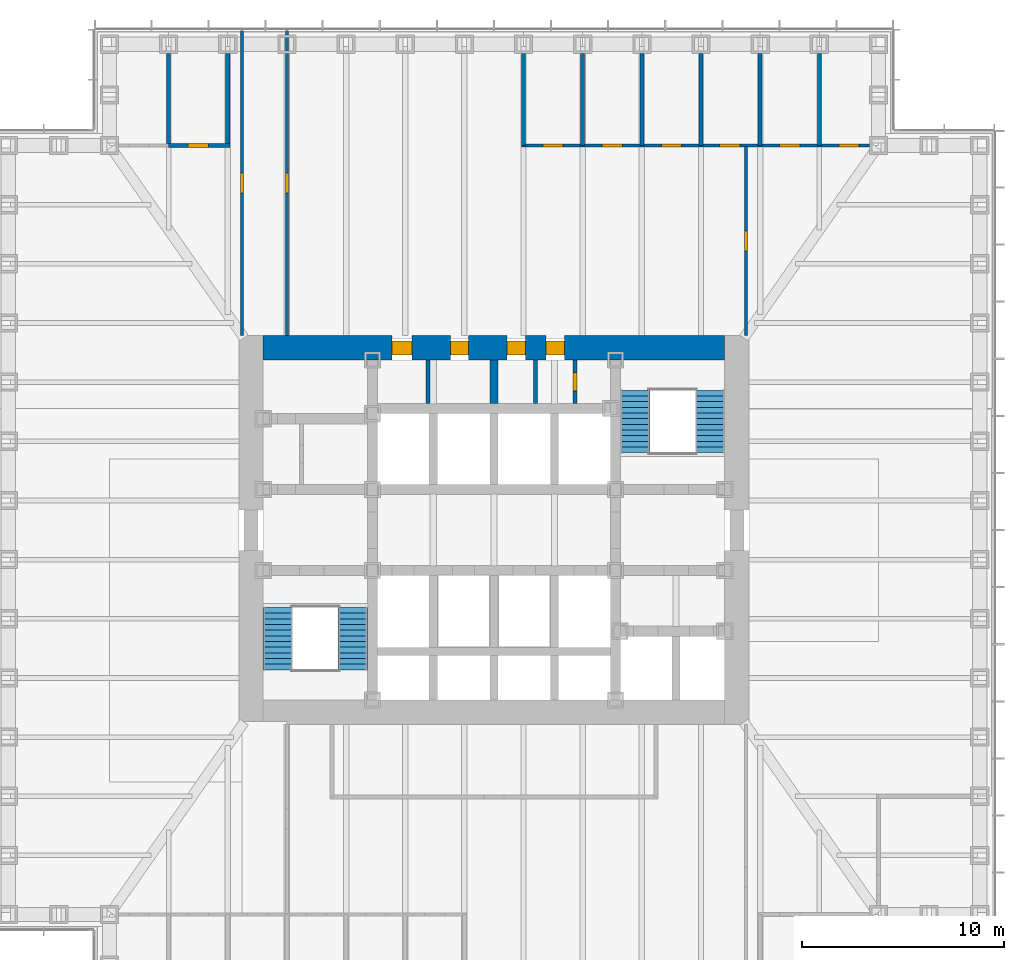
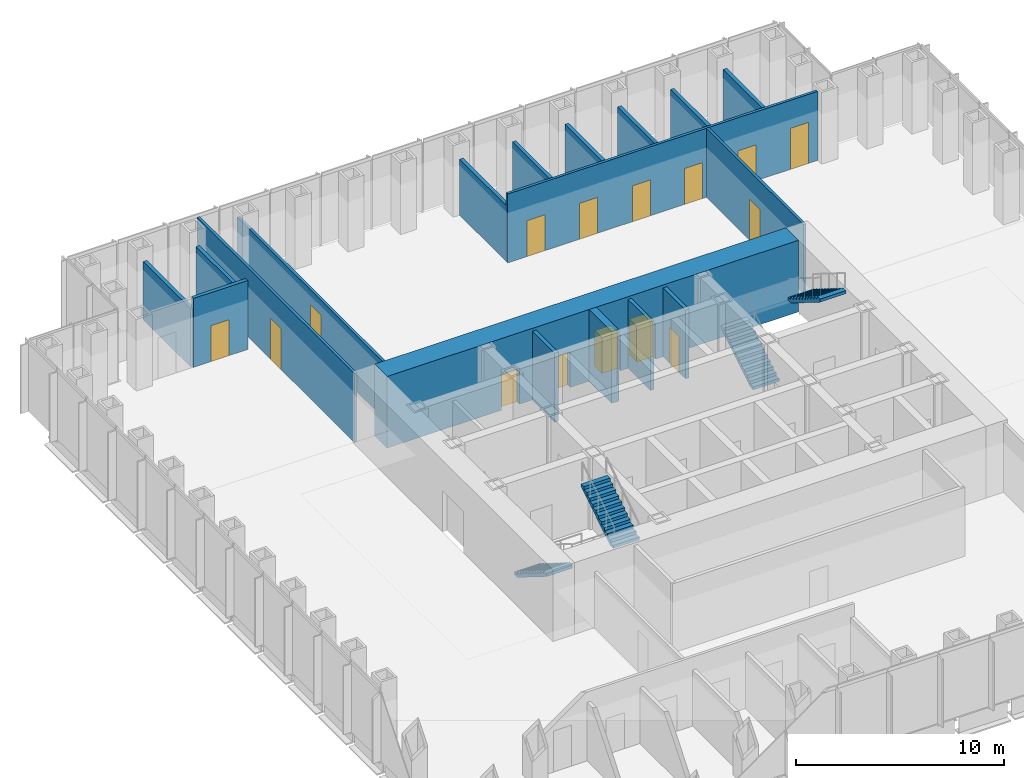
# One storey, part 10 of 16: 18 walls, 15 doors, 4 stair flights, 15 openings, 2 elements without a shape of their own.
"""IFC4 building model written with IfcOpenShell, lengths in metres."""

from ifc_helpers import new_model, si_unit, direction, frame, frame_2d, origin, place, context, subcontext, project, spatial, polyline, rectangle, outline, extrude, material, layer, layer_set, type_object, element, fill, aggregate, save


model = new_model("IFC4")

# Units and contexts
model_context = context("Model", 3, precision=1e-05, world=origin(), true_north=direction((0.0, 1.0)))
body_context = subcontext(model_context, "Body", "Model", "MODEL_VIEW")
ifc_project = project(units=[si_unit("LENGTHUNIT", "METRE"), si_unit("AREAUNIT", "SQUARE_METRE"), si_unit("VOLUMEUNIT", "CUBIC_METRE"), si_unit("PLANEANGLEUNIT", "RADIAN"), si_unit("MASSUNIT", "GRAM", prefix="KILO")], contexts=[model_context])

# Site, building, storey
site_placement = place(None, origin())
site = spatial("IfcSite", under=ifc_project, at=site_placement, CompositionType="ELEMENT")
building_placement = place(site_placement, origin())
building = spatial("IfcBuilding", under=site, at=building_placement, Name="Daluyong Arena Tower", CompositionType="ELEMENT")
storey_placement = place(building_placement, frame((0.0, 0.0, 93.699951171875)))
storey = spatial("IfcBuildingStorey", under=building, at=storey_placement, Name="L20", CompositionType="ELEMENT", Elevation=93.699951171875)

# Wall, openings, doors
ifc_material_1 = material(Name="Concrete fc' 60 MPa", Category="concrete")
ifc_layer_1 = layer(ifc_material_1, 1.199951171875)
ifc_layer_set_1 = layer_set([ifc_layer_1], Name="Concrete fc' 60 MPa")
wall_type_1 = type_object("IfcWallType", Name="Core wall 1200", PredefinedType="SHEAR", material=ifc_layer_set_1)
wall_1_placement = place(storey_placement, frame((44.60009765625, 89.0, 0.0), z_axis=(0.0, 0.0, 1.0), x_axis=(1.0, 0.0, 0.0)))
wall_1 = element("IfcWall", 1, at=wall_1_placement, inside=storey, type_object=wall_type_1, Name="core wall at L20", PredefinedType="SHEAR", context=body_context, shape_type="SweptSolid", body=[
    extrude(rectangle(XDim=22.7998046875, YDim=1.199951171875, at=frame_2d((11.39990234375, 0.0))), origin(), (0.0, 0.0, 1.0), 4.199951171875),
])
opening_1_placement = place(wall_1_placement, frame((6.35009765625, 0.0, 0.0)))
opening_1 = element("IfcOpeningElement", 2, at=opening_1_placement, cuts=wall_1, Name="Opening 20004", PredefinedType="OPENING", context=body_context, shape_type="SweptSolid", body=[
    extrude(rectangle(XDim=1.0, YDim=2.10009765625, at=frame_2d((0.5, 1.050048828125))), frame((0.0, 0.60986328125, 0.0), z_axis=(0.0, -1.0, 0.0), x_axis=(1.0, 0.0, 0.0)), (0.0, 0.0, 1.0), 1.219970703125),
])
opening_2_placement = place(wall_1_placement, frame((9.25, 0.0, 0.0)))
opening_2 = element("IfcOpeningElement", 3, at=opening_2_placement, cuts=wall_1, Name="Opening 20005", PredefinedType="OPENING", context=body_context, shape_type="SweptSolid", body=[
    extrude(rectangle(XDim=0.89990234375, YDim=2.10009765625, at=frame_2d((0.449951171875, 1.050048828125))), frame((0.0, 0.60986328125, 0.0), z_axis=(0.0, -1.0, 0.0), x_axis=(1.0, 0.0, 0.0)), (0.0, 0.0, 1.0), 1.219970703125),
])
opening_3_placement = place(wall_1_placement, frame((12.050048828125, 0.0, 0.0)))
opening_3 = element("IfcOpeningElement", 4, at=opening_3_placement, cuts=wall_1, Name="Opening 20006", PredefinedType="OPENING", context=body_context, shape_type="SweptSolid", body=[
    extrude(rectangle(XDim=0.89990234375, YDim=2.10009765625, at=frame_2d((0.449951171875, 1.050048828125))), frame((0.0, 0.60986328125, 0.0), z_axis=(0.0, -1.0, 0.0), x_axis=(1.0, 0.0, 0.0)), (0.0, 0.0, 1.0), 1.219970703125),
])
opening_4_placement = place(wall_1_placement, frame((13.97509765625, 0.0, 0.0)))
opening_4 = element("IfcOpeningElement", 5, at=opening_4_placement, cuts=wall_1, Name="Opening 20007", PredefinedType="OPENING", context=body_context, shape_type="SweptSolid", body=[
    extrude(rectangle(XDim=0.89990234375, YDim=2.10009765625, at=frame_2d((0.449951171875, 1.050048828125))), frame((0.0, 0.60986328125, 0.0), z_axis=(0.0, -1.0, 0.0), x_axis=(1.0, 0.0, 0.0)), (0.0, 0.0, 1.0), 1.219970703125),
])
ifc_material_2 = material(Name="Timber door", Category="wood")
door_type_1 = type_object("IfcDoorType", Name="Accessible toilet door 1000", OperationType="SINGLE_SWING_LEFT", PredefinedType="DOOR", material=ifc_material_2)
door_1_placement = place(opening_1_placement, origin())
door_1 = element("IfcDoor", 6, at=door_1_placement, inside=storey, type_object=door_type_1, Name="accessible toilet door 20004", OperationType="SINGLE_SWING_LEFT", OverallHeight=2.10009765625, OverallWidth=1.0, PredefinedType="DOOR", context=body_context, shape_type="SweptSolid", body=[
    extrude(rectangle(XDim=1.0, YDim=2.10009765625, at=frame_2d((0.5, 1.050048828125))), frame((0.0, 0.35009765625, 0.0), z_axis=(0.0, -1.0, 0.0), x_axis=(1.0, 0.0, 0.0)), (0.0, 0.0, 1.0), 0.699951171875),
])
fill(opening_1, door_1)
ifc_material_3 = material(Name="Steel door, fire rated", Category="steel")
door_type_2 = type_object("IfcDoorType", Name="Core store door 900", OperationType="SINGLE_SWING_LEFT", PredefinedType="DOOR", material=ifc_material_3)
door_2_placement = place(opening_2_placement, origin())
door_2 = element("IfcDoor", 7, at=door_2_placement, inside=storey, type_object=door_type_2, Name="facilities store door 20005", OperationType="SINGLE_SWING_LEFT", OverallHeight=2.10009765625, OverallWidth=0.89990234375, PredefinedType="DOOR", context=body_context, shape_type="SweptSolid", body=[
    extrude(rectangle(XDim=0.89990234375, YDim=2.10009765625, at=frame_2d((0.449951171875, 1.050048828125))), frame((0.0, 0.35009765625, 0.0), z_axis=(0.0, -1.0, 0.0), x_axis=(1.0, 0.0, 0.0)), (0.0, 0.0, 1.0), 0.699951171875),
])
fill(opening_2, door_2)
door_3_placement = place(opening_4_placement, origin())
door_3 = element("IfcDoor", 8, at=door_3_placement, inside=storey, type_object=door_type_2, Name="stationery store door 20007", OperationType="SINGLE_SWING_LEFT", OverallHeight=2.10009765625, OverallWidth=0.89990234375, PredefinedType="DOOR", context=body_context, shape_type="SweptSolid", body=[
    extrude(rectangle(XDim=0.89990234375, YDim=2.10009765625, at=frame_2d((0.449951171875, 1.050048828125))), frame((0.0, 0.35009765625, 0.0), z_axis=(0.0, -1.0, 0.0), x_axis=(1.0, 0.0, 0.0)), (0.0, 0.0, 1.0), 0.699951171875),
])
fill(opening_4, door_3)
ifc_material_4 = material(Name="Steel door, fire rated", Category="steel")
door_type_3 = type_object("IfcDoorType", Name="Plant room door 900", OperationType="SINGLE_SWING_LEFT", PredefinedType="DOOR", material=ifc_material_4)
door_4_placement = place(opening_3_placement, origin())
door_4 = element("IfcDoor", 9, at=door_4_placement, inside=storey, type_object=door_type_3, Name="comms room door 20006", OperationType="SINGLE_SWING_LEFT", OverallHeight=2.10009765625, OverallWidth=0.89990234375, PredefinedType="DOOR", context=body_context, shape_type="SweptSolid", body=[
    extrude(rectangle(XDim=0.89990234375, YDim=2.10009765625, at=frame_2d((0.449951171875, 1.050048828125))), frame((0.0, 0.35009765625, 0.0), z_axis=(0.0, -1.0, 0.0), x_axis=(1.0, 0.0, 0.0)), (0.0, 0.0, 1.0), 0.699951171875),
])
fill(opening_3, door_4)

# Wall
ifc_material_5 = material(Name="Concrete block partition, fire rated", Category="concrete")
ifc_layer_2 = layer(ifc_material_5, 0.199951171875)
ifc_layer_set_2 = layer_set([ifc_layer_2], Name="Concrete block partition, fire rated")
wall_type_2 = type_object("IfcWallType", Name="Fire-rated partition 200", PredefinedType="PARTITIONING", material=ifc_layer_set_2)
wall_2_placement = place(storey_placement, frame((52.75, 86.25, 0.0), z_axis=(0.0, 0.0, 1.0), x_axis=(0.0, 1.0, 0.0)))
element("IfcWall", 10, at=wall_2_placement, inside=storey, type_object=wall_type_2, Name="core room partition at L20", PredefinedType="PARTITIONING", context=body_context, shape_type="SweptSolid", body=[
    extrude(rectangle(XDim=2.14990234375, YDim=0.199951171875, at=frame_2d((1.074951171875, 0.0))), origin(), (0.0, 0.0, 1.0), 4.0400390625),
])

# Wall, opening, door
wall_3_placement = place(storey_placement, frame((60.0, 86.25, 0.0), z_axis=(0.0, 0.0, 1.0), x_axis=(0.0, 1.0, 0.0)))
wall_3 = element("IfcWall", 11, at=wall_3_placement, inside=storey, type_object=wall_type_2, Name="electrical riser enclosure at L20", PredefinedType="PARTITIONING", context=body_context, shape_type="SweptSolid", body=[
    extrude(rectangle(XDim=2.14990234375, YDim=0.199951171875, at=frame_2d((1.074951171875, 0.0))), origin(), (0.0, 0.0, 1.0), 4.0400390625),
])
opening_5_placement = place(wall_3_placement, frame((0.625, 0.0, 0.0)))
opening_5 = element("IfcOpeningElement", 12, at=opening_5_placement, cuts=wall_3, Name="Opening 20008", PredefinedType="OPENING", context=body_context, shape_type="SweptSolid", body=[
    extrude(rectangle(XDim=0.89990234375, YDim=2.10009765625, at=frame_2d((0.449951171875, 1.050048828125))), frame((0.0, 0.10986328125, 0.0), z_axis=(0.0, -1.0, 0.0), x_axis=(1.0, 0.0, 0.0)), (0.0, 0.0, 1.0), 0.219970703125),
])
ifc_material_6 = material(Name="Steel door, fire rated", Category="steel")
door_type_4 = type_object("IfcDoorType", Name="Riser door 900", OperationType="SINGLE_SWING_LEFT", PredefinedType="DOOR", material=ifc_material_6)
door_5_placement = place(opening_5_placement, origin())
door_5 = element("IfcDoor", 13, at=door_5_placement, inside=storey, type_object=door_type_4, Name="riser door 20008", OperationType="SINGLE_SWING_LEFT", OverallHeight=2.10009765625, OverallWidth=0.89990234375, PredefinedType="DOOR", context=body_context, shape_type="SweptSolid", body=[
    extrude(rectangle(XDim=0.89990234375, YDim=2.10009765625, at=frame_2d((0.449951171875, 1.050048828125))), frame((0.0, 0.099609375, 0.0), z_axis=(0.0, -1.0, 0.0), x_axis=(1.0, 0.0, 0.0)), (0.0, 0.0, 1.0), 0.199462890625),
])
fill(opening_5, door_5)

# Wall
wall_4_placement = place(storey_placement, frame((58.050048828125, 86.25, 0.0), z_axis=(0.0, 0.0, 1.0), x_axis=(0.0, 1.0, 0.0)))
element("IfcWall", 14, at=wall_4_placement, inside=storey, type_object=wall_type_2, Name="core room partition at L20", PredefinedType="PARTITIONING", context=body_context, shape_type="SweptSolid", body=[
    extrude(rectangle(XDim=2.14990234375, YDim=0.199951171875, at=frame_2d((1.074951171875, 0.0))), origin(), (0.0, 0.0, 1.0), 4.0400390625),
])

# Wall, openings, doors
ifc_material_7 = material(Name="Glazed aluminium partition", Category="aluminium")
ifc_layer_3 = layer(ifc_material_7, 0.14990234375)
ifc_layer_set_3 = layer_set([ifc_layer_3], Name="Glazed aluminium partition")
wall_type_3 = type_object("IfcWallType", Name="Glazed partition 150", PredefinedType="PARTITIONING", material=ifc_layer_set_3)
wall_5_placement = place(storey_placement, frame((57.361572265625, 99.0, 0.0), z_axis=(0.0, 0.0, 1.0), x_axis=(1.0, 0.0, 0.0)))
wall_5 = element("IfcWall", 15, at=wall_5_placement, inside=storey, type_object=wall_type_3, Name="glazed partition at L20", PredefinedType="PARTITIONING", context=body_context, shape_type="SweptSolid", body=[
    extrude(rectangle(XDim=17.1884765625, YDim=0.14990234375, at=frame_2d((8.59423828125, 0.0))), origin(), (0.0, 0.0, 1.0), 4.0400390625),
])
opening_6_placement = place(wall_5_placement, frame((1.0615234375, 0.0, 0.0)))
opening_6 = element("IfcOpeningElement", 16, at=opening_6_placement, cuts=wall_5, Name="Opening 20032", PredefinedType="OPENING", context=body_context, shape_type="SweptSolid", body=[
    extrude(rectangle(XDim=1.0, YDim=2.10009765625, at=frame_2d((0.5, 1.050048828125))), frame((0.0, 0.0849609375, 0.0), z_axis=(0.0, -1.0, 0.0), x_axis=(1.0, 0.0, 0.0)), (0.0, 0.0, 1.0), 0.169921875),
])
opening_7_placement = place(wall_5_placement, frame((3.984619140625, 0.0, 0.0)))
opening_7 = element("IfcOpeningElement", 17, at=opening_7_placement, cuts=wall_5, Name="Opening 20033", PredefinedType="OPENING", context=body_context, shape_type="SweptSolid", body=[
    extrude(rectangle(XDim=1.0, YDim=2.10009765625, at=frame_2d((0.5, 1.050048828125))), frame((0.0, 0.0849609375, 0.0), z_axis=(0.0, -1.0, 0.0), x_axis=(1.0, 0.0, 0.0)), (0.0, 0.0, 1.0), 0.169921875),
])
opening_8_placement = place(wall_5_placement, frame((6.90771484375, 0.0, 0.0)))
opening_8 = element("IfcOpeningElement", 18, at=opening_8_placement, cuts=wall_5, Name="Opening 20034", PredefinedType="OPENING", context=body_context, shape_type="SweptSolid", body=[
    extrude(rectangle(XDim=1.0, YDim=2.10009765625, at=frame_2d((0.5, 1.050048828125))), frame((0.0, 0.0849609375, 0.0), z_axis=(0.0, -1.0, 0.0), x_axis=(1.0, 0.0, 0.0)), (0.0, 0.0, 1.0), 0.169921875),
])
opening_9_placement = place(wall_5_placement, frame((9.78857421875, 0.0, 0.0)))
opening_9 = element("IfcOpeningElement", 19, at=opening_9_placement, cuts=wall_5, Name="Opening 20035", PredefinedType="OPENING", context=body_context, shape_type="SweptSolid", body=[
    extrude(rectangle(XDim=1.0, YDim=2.10009765625, at=frame_2d((0.5, 1.050048828125))), frame((0.0, 0.0849609375, 0.0), z_axis=(0.0, -1.0, 0.0), x_axis=(1.0, 0.0, 0.0)), (0.0, 0.0, 1.0), 0.169921875),
])
opening_10_placement = place(wall_5_placement, frame((12.75390625, 0.0, 0.0)))
opening_10 = element("IfcOpeningElement", 20, at=opening_10_placement, cuts=wall_5, Name="Opening 20036", PredefinedType="OPENING", context=body_context, shape_type="SweptSolid", body=[
    extrude(rectangle(XDim=1.0, YDim=2.10009765625, at=frame_2d((0.5, 1.050048828125))), frame((0.0, 0.0849609375, 0.0), z_axis=(0.0, -1.0, 0.0), x_axis=(1.0, 0.0, 0.0)), (0.0, 0.0, 1.0), 0.169921875),
])
opening_11_placement = place(wall_5_placement, frame((15.677001953125, 0.0, 0.0)))
opening_11 = element("IfcOpeningElement", 21, at=opening_11_placement, cuts=wall_5, Name="Opening 20037", PredefinedType="OPENING", context=body_context, shape_type="SweptSolid", body=[
    extrude(rectangle(XDim=1.0, YDim=2.39990234375, at=frame_2d((0.5, 1.199951171875))), frame((0.0, 0.0849609375, 0.0), z_axis=(0.0, -1.0, 0.0), x_axis=(1.0, 0.0, 0.0)), (0.0, 0.0, 1.0), 0.169921875),
])
ifc_material_8 = material(Name="Glazed aluminium door", Category="aluminium")
door_type_5 = type_object("IfcDoorType", Name="Meeting room glazed door 1000", OperationType="SINGLE_SWING_RIGHT", PredefinedType="DOOR", material=ifc_material_8)
door_6_placement = place(opening_11_placement, origin())
door_6 = element("IfcDoor", 22, at=door_6_placement, inside=storey, type_object=door_type_5, Name="focus room door 20037", OperationType="SINGLE_SWING_RIGHT", OverallHeight=2.39990234375, OverallWidth=1.0, PredefinedType="DOOR", context=body_context, shape_type="SweptSolid", body=[
    extrude(rectangle(XDim=1.0, YDim=2.39990234375, at=frame_2d((0.5, 1.199951171875))), frame((0.0, 0.07470703125, 0.0), z_axis=(0.0, -1.0, 0.0), x_axis=(1.0, 0.0, 0.0)), (0.0, 0.0, 1.0), 0.1494140625),
])
fill(opening_11, door_6)
ifc_material_9 = material(Name="Timber door", Category="wood")
door_type_6 = type_object("IfcDoorType", Name="Room door 1000", OperationType="SINGLE_SWING_LEFT", PredefinedType="DOOR", material=ifc_material_9)
door_7_placement = place(opening_6_placement, origin())
door_7 = element("IfcDoor", 23, at=door_7_placement, inside=storey, type_object=door_type_6, Name="office door 20032", OperationType="SINGLE_SWING_LEFT", OverallHeight=2.10009765625, OverallWidth=1.0, PredefinedType="DOOR", context=body_context, shape_type="SweptSolid", body=[
    extrude(rectangle(XDim=1.0, YDim=2.10009765625, at=frame_2d((0.5, 1.050048828125))), frame((0.0, 0.07470703125, 0.0), z_axis=(0.0, -1.0, 0.0), x_axis=(1.0, 0.0, 0.0)), (0.0, 0.0, 1.0), 0.1494140625),
])
fill(opening_6, door_7)
door_8_placement = place(opening_7_placement, origin())
door_8 = element("IfcDoor", 24, at=door_8_placement, inside=storey, type_object=door_type_6, Name="office door 20033", OperationType="SINGLE_SWING_LEFT", OverallHeight=2.10009765625, OverallWidth=1.0, PredefinedType="DOOR", context=body_context, shape_type="SweptSolid", body=[
    extrude(rectangle(XDim=1.0, YDim=2.10009765625, at=frame_2d((0.5, 1.050048828125))), frame((0.0, 0.07470703125, 0.0), z_axis=(0.0, -1.0, 0.0), x_axis=(1.0, 0.0, 0.0)), (0.0, 0.0, 1.0), 0.1494140625),
])
fill(opening_7, door_8)
door_9_placement = place(opening_8_placement, origin())
door_9 = element("IfcDoor", 25, at=door_9_placement, inside=storey, type_object=door_type_6, Name="office door 20034", OperationType="SINGLE_SWING_LEFT", OverallHeight=2.10009765625, OverallWidth=1.0, PredefinedType="DOOR", context=body_context, shape_type="SweptSolid", body=[
    extrude(rectangle(XDim=1.0, YDim=2.10009765625, at=frame_2d((0.5, 1.050048828125))), frame((0.0, 0.07470703125, 0.0), z_axis=(0.0, -1.0, 0.0), x_axis=(1.0, 0.0, 0.0)), (0.0, 0.0, 1.0), 0.1494140625),
])
fill(opening_8, door_9)
door_10_placement = place(opening_9_placement, origin())
door_10 = element("IfcDoor", 26, at=door_10_placement, inside=storey, type_object=door_type_6, Name="office door 20035", OperationType="SINGLE_SWING_LEFT", OverallHeight=2.10009765625, OverallWidth=1.0, PredefinedType="DOOR", context=body_context, shape_type="SweptSolid", body=[
    extrude(rectangle(XDim=1.0, YDim=2.10009765625, at=frame_2d((0.5, 1.050048828125))), frame((0.0, 0.07470703125, 0.0), z_axis=(0.0, -1.0, 0.0), x_axis=(1.0, 0.0, 0.0)), (0.0, 0.0, 1.0), 0.1494140625),
])
fill(opening_9, door_10)
door_11_placement = place(opening_10_placement, origin())
door_11 = element("IfcDoor", 27, at=door_11_placement, inside=storey, type_object=door_type_6, Name="office door 20036", OperationType="SINGLE_SWING_LEFT", OverallHeight=2.10009765625, OverallWidth=1.0, PredefinedType="DOOR", context=body_context, shape_type="SweptSolid", body=[
    extrude(rectangle(XDim=1.0, YDim=2.10009765625, at=frame_2d((0.5, 1.050048828125))), frame((0.0, 0.07470703125, 0.0), z_axis=(0.0, -1.0, 0.0), x_axis=(1.0, 0.0, 0.0)), (0.0, 0.0, 1.0), 0.1494140625),
])
fill(opening_10, door_11)

# Wall, opening, door
wall_6_placement = place(storey_placement, frame((43.550048828125, 89.60009765625, 0.0), z_axis=(0.0, 0.0, 1.0), x_axis=(0.0, 1.0, 0.0)))
wall_6 = element("IfcWall", 28, at=wall_6_placement, inside=storey, type_object=wall_type_3, Name="glazed partition at L20", PredefinedType="PARTITIONING", context=body_context, shape_type="SweptSolid", body=[
    extrude(rectangle(XDim=15.08984375, YDim=0.14990234375, at=frame_2d((7.544921875, 0.0))), origin(), (0.0, 0.0, 1.0), 4.0400390625),
])
opening_12_placement = place(wall_6_placement, frame((7.044921875, 0.0, 0.0)))
opening_12 = element("IfcOpeningElement", 29, at=opening_12_placement, cuts=wall_6, Name="Opening 20040", PredefinedType="OPENING", context=body_context, shape_type="SweptSolid", body=[
    extrude(rectangle(XDim=1.0, YDim=2.39990234375, at=frame_2d((0.5, 1.199951171875))), frame((0.0, 0.0849609375, 0.0), z_axis=(0.0, -1.0, 0.0), x_axis=(1.0, 0.0, 0.0)), (0.0, 0.0, 1.0), 0.169921875),
])
door_12_placement = place(opening_12_placement, origin())
door_12 = element("IfcDoor", 30, at=door_12_placement, inside=storey, type_object=door_type_5, Name="team area screen door 20040", OperationType="SINGLE_SWING_RIGHT", OverallHeight=2.39990234375, OverallWidth=1.0, PredefinedType="DOOR", context=body_context, shape_type="SweptSolid", body=[
    extrude(rectangle(XDim=1.0, YDim=2.39990234375, at=frame_2d((0.5, 1.199951171875))), frame((0.0, 0.07470703125, 0.0), z_axis=(0.0, -1.0, 0.0), x_axis=(1.0, 0.0, 0.0)), (0.0, 0.0, 1.0), 0.1494140625),
])
fill(opening_12, door_12)

wall_7_placement = place(storey_placement, frame((45.769287109375, 89.60009765625, 0.0), z_axis=(0.0, 0.0, 1.0), x_axis=(0.0, 1.0, 0.0)))
wall_7 = element("IfcWall", 31, at=wall_7_placement, inside=storey, type_object=wall_type_3, Name="glazed partition at L20", PredefinedType="PARTITIONING", context=body_context, shape_type="SweptSolid", body=[
    extrude(rectangle(XDim=15.08984375, YDim=0.14990234375, at=frame_2d((7.544921875, 0.0))), origin(), (0.0, 0.0, 1.0), 3.278076171875),
])
opening_13_placement = place(wall_7_placement, frame((7.044921875, 0.0, 0.0)))
opening_13 = element("IfcOpeningElement", 32, at=opening_13_placement, cuts=wall_7, Name="Opening 20043", PredefinedType="OPENING", context=body_context, shape_type="SweptSolid", body=[
    extrude(rectangle(XDim=1.0, YDim=2.39990234375, at=frame_2d((0.5, 1.199951171875))), frame((0.0, 0.0849609375, 0.0), z_axis=(0.0, -1.0, 0.0), x_axis=(1.0, 0.0, 0.0)), (0.0, 0.0, 1.0), 0.169921875),
])
door_13_placement = place(opening_13_placement, origin())
door_13 = element("IfcDoor", 33, at=door_13_placement, inside=storey, type_object=door_type_5, Name="team area screen door 20043", OperationType="SINGLE_SWING_RIGHT", OverallHeight=2.39990234375, OverallWidth=1.0, PredefinedType="DOOR", context=body_context, shape_type="SweptSolid", body=[
    extrude(rectangle(XDim=1.0, YDim=2.39990234375, at=frame_2d((0.5, 1.199951171875))), frame((0.0, 0.07470703125, 0.0), z_axis=(0.0, -1.0, 0.0), x_axis=(1.0, 0.0, 0.0)), (0.0, 0.0, 1.0), 0.1494140625),
])
fill(opening_13, door_13)

wall_8_placement = place(storey_placement, frame((68.449951171875, 89.60009765625, 0.0), z_axis=(0.0, 0.0, 1.0), x_axis=(0.0, 1.0, 0.0)))
wall_8 = element("IfcWall", 34, at=wall_8_placement, inside=storey, type_object=wall_type_3, Name="glazed partition at L20", PredefinedType="PARTITIONING", context=body_context, shape_type="SweptSolid", body=[
    extrude(rectangle(XDim=9.349853515625, YDim=0.14990234375, at=frame_2d((4.6748046875, 0.0))), origin(), (0.0, 0.0, 1.0), 4.0400390625),
])
opening_14_placement = place(wall_8_placement, frame((4.175048828125, 0.0, 0.0)))
opening_14 = element("IfcOpeningElement", 35, at=opening_14_placement, cuts=wall_8, Name="Opening 20041", PredefinedType="OPENING", context=body_context, shape_type="SweptSolid", body=[
    extrude(rectangle(XDim=1.0, YDim=2.39990234375, at=frame_2d((0.5, 1.199951171875))), frame((0.0, 0.0849609375, 0.0), z_axis=(0.0, -1.0, 0.0), x_axis=(1.0, 0.0, 0.0)), (0.0, 0.0, 1.0), 0.169921875),
])
door_14_placement = place(opening_14_placement, origin())
door_14 = element("IfcDoor", 36, at=door_14_placement, inside=storey, type_object=door_type_5, Name="team area screen door 20041", OperationType="SINGLE_SWING_RIGHT", OverallHeight=2.39990234375, OverallWidth=1.0, PredefinedType="DOOR", context=body_context, shape_type="SweptSolid", body=[
    extrude(rectangle(XDim=1.0, YDim=2.39990234375, at=frame_2d((0.5, 1.199951171875))), frame((0.0, 0.07470703125, 0.0), z_axis=(0.0, -1.0, 0.0), x_axis=(1.0, 0.0, 0.0)), (0.0, 0.0, 1.0), 0.1494140625),
])
fill(opening_14, door_14)

# Walls
ifc_material_10 = material(Name="Concrete fc' 45 MPa", Category="concrete")
ifc_layer_4 = layer(ifc_material_10, 0.39990234375)
ifc_layer_set_4 = layer_set([ifc_layer_4], Name="Concrete fc' 45 MPa")
wall_type_4 = type_object("IfcWallType", Name="Lift shaft wall 400", PredefinedType="SHEAR", material=ifc_layer_set_4)
wall_9_placement = place(storey_placement, frame((56.0, 86.25, 0.0), z_axis=(0.0, 0.0, 1.0), x_axis=(0.0, 1.0, 0.0)))
element("IfcWall", 37, at=wall_9_placement, inside=storey, type_object=wall_type_4, Name="lift shaft wall at L20", PredefinedType="SHEAR", context=body_context, shape_type="SweptSolid", body=[
    extrude(rectangle(XDim=2.14990234375, YDim=0.39990234375, at=frame_2d((1.074951171875, 0.0))), origin(), (0.0, 0.0, 1.0), 4.199951171875),
])
ifc_material_11 = material(Name="Concrete block partition", Category="concrete")
ifc_layer_5 = layer(ifc_material_11, 0.199951171875)
ifc_layer_set_5 = layer_set([ifc_layer_5], Name="Concrete block partition")
wall_type_5 = type_object("IfcWallType", Name="Partition 200", PredefinedType="PARTITIONING", material=ifc_layer_set_5)
wall_10_placement = place(storey_placement, frame((39.923095703125, 99.0, 0.0), z_axis=(0.0, 0.0, 1.0), x_axis=(0.0, 1.0, 0.0)))
element("IfcWall", 38, at=wall_10_placement, inside=storey, type_object=wall_type_5, Name="partition at L20", PredefinedType="PARTITIONING", context=body_context, shape_type="SweptSolid", body=[
    extrude(rectangle(XDim=4.550048828125, YDim=0.199951171875, at=frame_2d((2.27490234375, 0.0))), origin(), (0.0, 0.0, 1.0), 3.427978515625),
])
for number, where, z_axis, x_axis, name in (
    (39, (42.84619140625, 99.0, 0.0), (0.0, 0.0, 1.0), (0.0, 1.0, 0.0), "partition at L20"),
    (40, (57.46142578125, 99.0, 0.0), (0.0, 0.0, 1.0), (0.0, 1.0, 0.0), "partition at L20"),
    (41, (60.384521484375, 99.0, 0.0), (0.0, 0.0, 1.0), (0.0, 1.0, 0.0), "partition at L20"),
    (42, (63.3076171875, 99.0, 0.0), (0.0, 0.0, 1.0), (0.0, 1.0, 0.0), "partition at L20"),
    (43, (66.230712890625, 99.0, 0.0), (0.0, 0.0, 1.0), (0.0, 1.0, 0.0), "partition at L20"),
    (44, (69.15380859375, 99.0, 0.0), (0.0, 0.0, 1.0), (0.0, 1.0, 0.0), "partition at L20"),
):
    element("IfcWall", number, at=place(storey_placement, frame(where, z_axis=z_axis, x_axis=x_axis)), inside=storey, type_object=wall_type_5, Name=name, PredefinedType="PARTITIONING", context=body_context, shape_type="SweptSolid", body=[
        extrude(rectangle(XDim=4.550048828125, YDim=0.199951171875, at=frame_2d((2.27490234375, 0.0))), origin(), (0.0, 0.0, 1.0), 3.278076171875),
    ])
wall_11_placement = place(storey_placement, frame((72.076904296875, 99.0, 0.0), z_axis=(0.0, 0.0, 1.0), x_axis=(0.0, 1.0, 0.0)))
element("IfcWall", 45, at=wall_11_placement, inside=storey, type_object=wall_type_5, Name="partition at L20", PredefinedType="PARTITIONING", context=body_context, shape_type="SweptSolid", body=[
    extrude(rectangle(XDim=4.550048828125, YDim=0.199951171875, at=frame_2d((2.27490234375, 0.0))), origin(), (0.0, 0.0, 1.0), 3.427978515625),
])

# Wall, opening, door
wall_12_placement = place(storey_placement, frame((39.923095703125, 99.0, 0.0), z_axis=(0.0, 0.0, 1.0), x_axis=(1.0, 0.0, 0.0)))
wall_12 = element("IfcWall", 46, at=wall_12_placement, inside=storey, type_object=wall_type_5, Name="partition at L20", PredefinedType="PARTITIONING", context=body_context, shape_type="SweptSolid", body=[
    extrude(rectangle(XDim=3.02294921875, YDim=0.199951171875, at=frame_2d((1.511474609375, 0.0))), origin(), (0.0, 0.0, 1.0), 4.0400390625),
])
opening_15_placement = place(wall_12_placement, frame((0.96142578125, 0.0, 0.0)))
opening_15 = element("IfcOpeningElement", 47, at=opening_15_placement, cuts=wall_12, Name="Opening 20031", PredefinedType="OPENING", context=body_context, shape_type="SweptSolid", body=[
    extrude(rectangle(XDim=1.0, YDim=2.10009765625, at=frame_2d((0.5, 1.050048828125))), frame((0.0, 0.10986328125, 0.0), z_axis=(0.0, -1.0, 0.0), x_axis=(1.0, 0.0, 0.0)), (0.0, 0.0, 1.0), 0.219970703125),
])
door_15_placement = place(opening_15_placement, origin())
door_15 = element("IfcDoor", 48, at=door_15_placement, inside=storey, type_object=door_type_6, Name="copy room door 20031", OperationType="SINGLE_SWING_LEFT", OverallHeight=2.10009765625, OverallWidth=1.0, PredefinedType="DOOR", context=body_context, shape_type="SweptSolid", body=[
    extrude(rectangle(XDim=1.0, YDim=2.10009765625, at=frame_2d((0.5, 1.050048828125))), frame((0.0, 0.099609375, 0.0), z_axis=(0.0, -1.0, 0.0), x_axis=(1.0, 0.0, 0.0)), (0.0, 0.0, 1.0), 0.199462890625),
])
fill(opening_15, door_15)

# Stair, stair flights
ifc_material_12 = material(Name="Concrete fc' 35 MPa", Category="concrete")
stair_type = type_object("IfcStairType", Name="Core exit stair", PredefinedType="HALF_TURN_STAIR", material=ifc_material_12)
stair_1_placement = place(storey_placement, origin())
stair_1 = element("IfcStair", 49, at=stair_1_placement, inside=storey, type_object=stair_type, Name="exit stair A L20", PredefinedType="HALF_TURN_STAIR")
ifc_material_13 = material(Name="Concrete fc' 35 MPa", Category="concrete")
stair_flight_type = type_object("IfcStairFlightType", Name="Core stair flight", PredefinedType="STRAIGHT", material=ifc_material_13)
stair_flight_1_placement = place(storey_placement, frame((45.324951171875, 76.175048828125, 0.0), z_axis=(0.0, 0.0, 1.0), x_axis=(0.0, -1.0, 0.0)))
stair_flight_1 = element("IfcStairFlight", 50, at=stair_flight_1_placement, type_object=stair_flight_type, Name="STA flight 1", NumberOfRisers=12, NumberOfTreads=11, PredefinedType="STRAIGHT", RiserHeight=0.175, TreadLength=0.28, context=body_context, shape_type="SweptSolid", body=[
    extrude(outline(polyline([(0.0, 0.0), (0.0, 0.175048828125), (0.280029296875, 0.175048828125), (0.280029296875, 0.35009765625), (0.56005859375, 0.35009765625), (0.56005859375, 0.52490234375), (0.840087890625, 0.52490234375), (0.840087890625, 0.699951171875), (1.1201171875, 0.699951171875), (1.1201171875, 0.875), (1.39990234375, 0.875), (1.39990234375, 1.050048828125), (1.679931640625, 1.050048828125), (1.679931640625, 1.22509765625), (1.9599609375, 1.22509765625), (1.9599609375, 1.39990234375), (2.239990234375, 1.39990234375), (2.239990234375, 1.574951171875), (2.52001953125, 1.574951171875), (2.52001953125, 1.75), (2.800048828125, 1.75), (2.800048828125, 1.925048828125), (3.080078125, 1.925048828125), (3.080078125, 2.10009765625), (3.080078125, 1.748291015625), (0.28271484375, 0.0), (0.0, 0.0)])), frame((0.0, 0.72509765625, 0.0), z_axis=(0.0, -1.0, 0.0), x_axis=(1.0, 0.0, 0.0)), (0.0, 0.0, 1.0), 1.449951171875),
])
stair_flight_2_placement = place(storey_placement, frame((49.02490234375, 73.094970703125, 2.10009765625), z_axis=(0.0, 0.0, 1.0), x_axis=(0.0, 1.0, 0.0)))
stair_flight_2 = element("IfcStairFlight", 51, at=stair_flight_2_placement, type_object=stair_flight_type, Name="STA flight 2", NumberOfRisers=12, NumberOfTreads=11, PredefinedType="STRAIGHT", RiserHeight=0.175, TreadLength=0.28, context=body_context, shape_type="SweptSolid", body=[
    extrude(outline(polyline([(0.0, 0.0), (0.0, 0.175048828125), (0.280029296875, 0.175048828125), (0.280029296875, 0.35009765625), (0.56005859375, 0.35009765625), (0.56005859375, 0.52490234375), (0.840087890625, 0.52490234375), (0.840087890625, 0.699951171875), (1.1201171875, 0.699951171875), (1.1201171875, 0.875), (1.39990234375, 0.875), (1.39990234375, 1.050048828125), (1.679931640625, 1.050048828125), (1.679931640625, 1.22509765625), (1.9599609375, 1.22509765625), (1.9599609375, 1.39990234375), (2.239990234375, 1.39990234375), (2.239990234375, 1.574951171875), (2.52001953125, 1.574951171875), (2.52001953125, 1.75), (2.800048828125, 1.75), (2.800048828125, 1.925048828125), (3.080078125, 1.925048828125), (3.080078125, 2.10009765625), (3.080078125, 1.748291015625), (0.28271484375, 0.0), (0.0, 0.0)])), frame((0.0, 0.72509765625, 0.0), z_axis=(0.0, -1.0, 0.0), x_axis=(1.0, 0.0, 0.0)), (0.0, 0.0, 1.0), 1.449951171875),
])
aggregate(stair_1, [stair_flight_1, stair_flight_2])

stair_2_placement = place(storey_placement, origin())
stair_2 = element("IfcStair", 52, at=stair_2_placement, inside=storey, type_object=stair_type, Name="exit stair B L20", PredefinedType="HALF_TURN_STAIR")
stair_flight_3_placement = place(storey_placement, frame((62.97509765625, 83.824951171875, 0.0), z_axis=(0.0, 0.0, 1.0), x_axis=(0.0, 1.0, 0.0)))
stair_flight_3 = element("IfcStairFlight", 53, at=stair_flight_3_placement, type_object=stair_flight_type, Name="STB flight 1", NumberOfRisers=12, NumberOfTreads=11, PredefinedType="STRAIGHT", RiserHeight=0.175, TreadLength=0.28, context=body_context, shape_type="SweptSolid", body=[
    extrude(outline(polyline([(0.0, 0.0), (0.0, 0.175048828125), (0.280029296875, 0.175048828125), (0.280029296875, 0.35009765625), (0.56005859375, 0.35009765625), (0.56005859375, 0.52490234375), (0.840087890625, 0.52490234375), (0.840087890625, 0.699951171875), (1.1201171875, 0.699951171875), (1.1201171875, 0.875), (1.39990234375, 0.875), (1.39990234375, 1.050048828125), (1.679931640625, 1.050048828125), (1.679931640625, 1.22509765625), (1.9599609375, 1.22509765625), (1.9599609375, 1.39990234375), (2.239990234375, 1.39990234375), (2.239990234375, 1.574951171875), (2.52001953125, 1.574951171875), (2.52001953125, 1.75), (2.800048828125, 1.75), (2.800048828125, 1.925048828125), (3.080078125, 1.925048828125), (3.080078125, 2.10009765625), (3.080078125, 1.748291015625), (0.28271484375, 0.0), (0.0, 0.0)])), frame((0.0, 0.72509765625, 0.0), z_axis=(0.0, -1.0, 0.0), x_axis=(1.0, 0.0, 0.0)), (0.0, 0.0, 1.0), 1.449951171875),
])
stair_flight_4_placement = place(storey_placement, frame((66.675048828125, 86.905029296875, 2.10009765625), z_axis=(0.0, 0.0, 1.0), x_axis=(0.0, -1.0, 0.0)))
stair_flight_4 = element("IfcStairFlight", 54, at=stair_flight_4_placement, type_object=stair_flight_type, Name="STB flight 2", NumberOfRisers=12, NumberOfTreads=11, PredefinedType="STRAIGHT", RiserHeight=0.175, TreadLength=0.28, context=body_context, shape_type="SweptSolid", body=[
    extrude(outline(polyline([(0.0, 0.0), (0.0, 0.175048828125), (0.280029296875, 0.175048828125), (0.280029296875, 0.35009765625), (0.56005859375, 0.35009765625), (0.56005859375, 0.52490234375), (0.840087890625, 0.52490234375), (0.840087890625, 0.699951171875), (1.1201171875, 0.699951171875), (1.1201171875, 0.875), (1.39990234375, 0.875), (1.39990234375, 1.050048828125), (1.679931640625, 1.050048828125), (1.679931640625, 1.22509765625), (1.9599609375, 1.22509765625), (1.9599609375, 1.39990234375), (2.239990234375, 1.39990234375), (2.239990234375, 1.574951171875), (2.52001953125, 1.574951171875), (2.52001953125, 1.75), (2.800048828125, 1.75), (2.800048828125, 1.925048828125), (3.080078125, 1.925048828125), (3.080078125, 2.10009765625), (3.080078125, 1.748291015625), (0.28271484375, 0.0), (0.0, 0.0)])), frame((0.0, 0.72509765625, 0.0), z_axis=(0.0, -1.0, 0.0), x_axis=(1.0, 0.0, 0.0)), (0.0, 0.0, 1.0), 1.449951171875),
])
aggregate(stair_2, [stair_flight_3, stair_flight_4])

save(model, "model.ifc")
